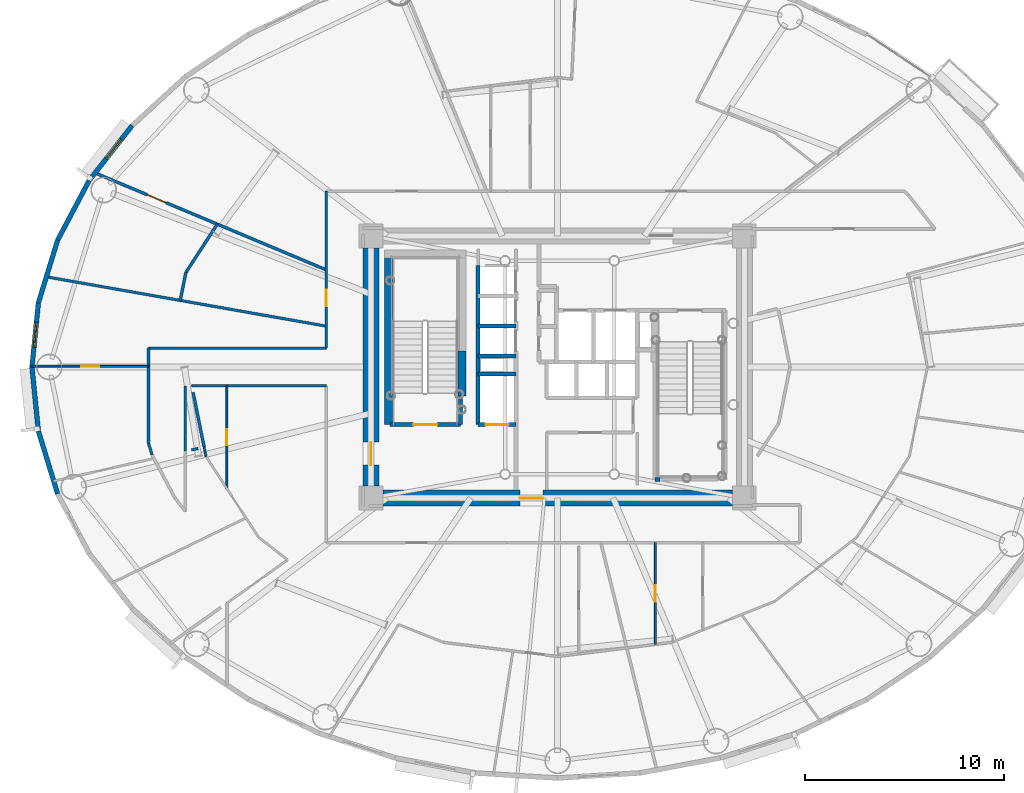
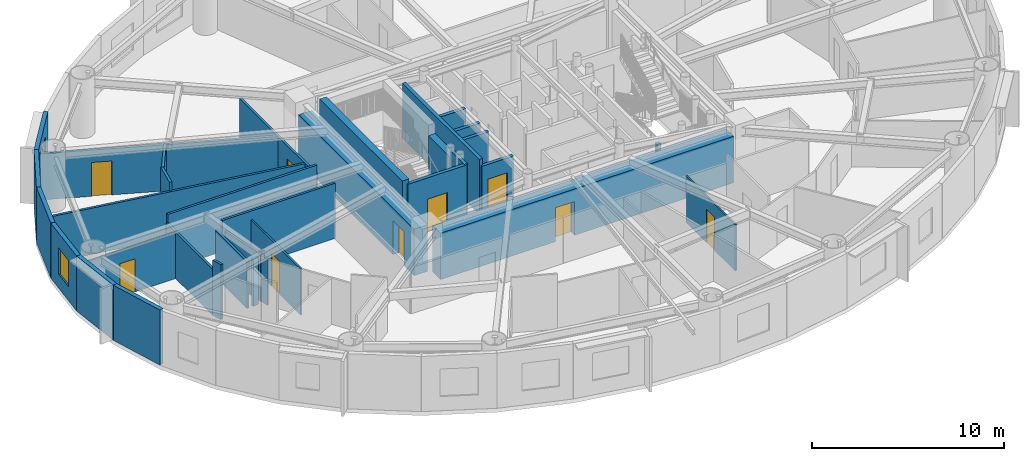
# One storey, part 10 of 21: 34 walls, 9 doors, 2 windows, 11 openings.
"""IFC4 building model written with IfcOpenShell, lengths in metres."""

import ifcopenshell
import ifcopenshell.guid

model = None  # the IFC model being written
_history = None  # IfcOwnerHistory: only IFC2X3 demands one
_inside = {}  # id of a spatial element -> (the spatial element, [elements in it])
_under = {}  # id of a project, library or spatial element -> (it, [spatial elements below it])
_declared = {}  # id of a project -> (the project, [libraries it declares])
_typed = {}  # id of a type object -> (the type object, [elements of that type])
_made_of = {}  # id of a material, layer set ... -> (it, [elements and type objects made of it])


def new_model(schema):
    """Start an empty IFC model of exactly this schema.

    Asked for "IFC4X3", IfcOpenShell would pick the latest addendum, in which some entities
    have other attributes; the version numbers below select the first issue.
    IFC2X3 requires an IfcOwnerHistory on every rooted entity: one is made here for all.
    """
    global model, _history
    if schema == "IFC4X3":
        model = ifcopenshell.file(schema_version=(4, 3, 0, 0))
    else:
        model = ifcopenshell.file(schema=schema)
    _inside.clear()
    _under.clear()
    _declared.clear()
    _typed.clear()
    _made_of.clear()
    _history = None
    if model.schema == "IFC2X3":
        org = make("IfcOrganization", Name="unknown")
        user = make(
            "IfcPersonAndOrganization",
            ThePerson=make("IfcPerson", FamilyName="unknown"),
            TheOrganization=org,
        )
        app = make(
            "IfcApplication",
            ApplicationDeveloper=org,
            Version="unknown",
            ApplicationFullName="unknown",
            ApplicationIdentifier="unknown",
        )
        _history = make(
            "IfcOwnerHistory",
            OwningUser=user,
            OwningApplication=app,
            ChangeAction="ADDED",
            CreationDate=0,
        )
    return model


def make(cls, **values):
    """One entity of the class cls with the attributes given. An attribute that is None is left unset."""
    return model.create_entity(
        cls, **{name: value for name, value in values.items() if value is not None}
    )


def rooted(cls, **values):
    """An entity with a GlobalId (a new one), such as an element, a storey or a relation."""
    return make(cls, GlobalId=ifcopenshell.guid.new(), OwnerHistory=_history, **values)


def si_unit(unit_type, name, prefix=None):
    """IfcSIUnit, for example si_unit("LENGTHUNIT", "METRE", prefix="MILLI")."""
    return make("IfcSIUnit", UnitType=unit_type, Prefix=prefix, Name=name)


def assignment(units):
    """IfcUnitAssignment: the units of a project."""
    return None if units is None else make("IfcUnitAssignment", Units=units)


def point(xyz):
    """IfcCartesianPoint."""
    return None if xyz is None else make("IfcCartesianPoint", Coordinates=xyz)


def direction(xyz):
    """IfcDirection."""
    return None if xyz is None else make("IfcDirection", DirectionRatios=xyz)


def frame(location, z_axis=None, x_axis=None):
    """IfcAxis2Placement3D, a coordinate frame: its origin and axes. An axis left out is left unset."""
    return make(
        "IfcAxis2Placement3D",
        Location=point(location),
        Axis=direction(z_axis),
        RefDirection=direction(x_axis),
    )


def frame_2d(location, x_axis=None):
    """IfcAxis2Placement2D, a coordinate frame in the plane: its origin and x axis."""
    return make(
        "IfcAxis2Placement2D", Location=point(location), RefDirection=direction(x_axis)
    )


def origin():
    """The frame at (0, 0, 0) with its axes left unset."""
    return frame((0.0, 0.0, 0.0))


def origin_2d():
    """The frame at (0, 0) in the plane with its x axis left unset."""
    return frame_2d((0.0, 0.0))


def place(relative_to, where):
    """IfcLocalPlacement: puts the frame where relative to a parent placement (None: the world)."""
    return make(
        "IfcLocalPlacement", PlacementRelTo=relative_to, RelativePlacement=where
    )


def context(
    kind, dimensions, precision=None, world=None, true_north=None, identifier=None
):
    """IfcGeometricRepresentationContext, for example the 3D "Model" context."""
    return make(
        "IfcGeometricRepresentationContext",
        ContextIdentifier=identifier,
        ContextType=kind,
        CoordinateSpaceDimension=dimensions,
        Precision=precision,
        WorldCoordinateSystem=world,
        TrueNorth=true_north,
    )


def subcontext(parent, identifier, kind, view, scale=None):
    """IfcGeometricRepresentationSubContext, for example "Body" below "Model"."""
    return make(
        "IfcGeometricRepresentationSubContext",
        ContextIdentifier=identifier,
        ContextType=kind,
        ParentContext=parent,
        TargetScale=scale,
        TargetView=view,
    )


def project(units=None, contexts=None):
    """IfcProject with its units and contexts."""
    return rooted(
        "IfcProject",
        Name="project",
        RepresentationContexts=contexts,
        UnitsInContext=assignment(units),
    )


def spatial(cls, under=None, at=None, **own):
    """A site, building, storey or space (cls), placed at a placement, below another one or the project."""
    s = rooted(cls, ObjectPlacement=at, **own)
    if under is not None:
        _under.setdefault(under.id(), (under, []))[1].append(s)
    return s


def profile(cls, at=None, kind="AREA", **sizes):
    """A parametric profile (cls). Its sizes go by their IFC names, for example OverallWidth=200.0."""
    return make(cls, ProfileType=kind, Position=at, **sizes)


def rectangle(**sizes):
    """IfcRectangleProfileDef."""
    return profile("IfcRectangleProfileDef", **sizes)


def extrude(swept, where, along, depth):
    """IfcExtrudedAreaSolid: the profile swept, set in the frame where, extruded along a direction by depth."""
    return make(
        "IfcExtrudedAreaSolid",
        SweptArea=swept,
        Position=where,
        ExtrudedDirection=direction(along),
        Depth=depth,
    )


def shape(context_of_items, identifier, shape_type, items):
    """IfcShapeRepresentation: the items that make up one representation, for example the "Body"."""
    return make(
        "IfcShapeRepresentation",
        ContextOfItems=context_of_items,
        RepresentationIdentifier=identifier,
        RepresentationType=shape_type,
        Items=items,
    )


def source(mapping_origin, context_of_items, identifier, shape_type, items):
    """IfcRepresentationMap: a shape defined once, which mapped items show again and again."""
    return make(
        "IfcRepresentationMap",
        MappingOrigin=mapping_origin,
        MappedRepresentation=shape(context_of_items, identifier, shape_type, items),
    )


def transform(
    local_origin,
    x_axis=None,
    y_axis=None,
    z_axis=None,
    scale=None,
    scale2=None,
    scale3=None,
    uniform=True,
):
    """IfcCartesianTransformationOperator3D, or its non-uniform kind. x_axis, y_axis, z_axis: its Axis1, 2, 3."""
    if uniform:
        return make(
            "IfcCartesianTransformationOperator3D",
            Axis1=direction(x_axis),
            Axis2=direction(y_axis),
            LocalOrigin=point(local_origin),
            Scale=scale,
            Axis3=direction(z_axis),
        )
    return make(
        "IfcCartesianTransformationOperator3DnonUniform",
        Axis1=direction(x_axis),
        Axis2=direction(y_axis),
        LocalOrigin=point(local_origin),
        Scale=scale,
        Axis3=direction(z_axis),
        Scale2=scale2,
        Scale3=scale3,
    )


def mapped(mapping_source, mapping_target):
    """IfcMappedItem: shows the shape of a source again, moved by a transform."""
    return make(
        "IfcMappedItem", MappingSource=mapping_source, MappingTarget=mapping_target
    )


def material(Name=None, Category=None):
    """IfcMaterial."""
    return make("IfcMaterial", Name=Name, Category=Category)


def layer(
    of_material, thickness, ventilated=None, Name=None, Category=None, Priority=None
):
    """IfcMaterialLayer: one layer of a wall or slab, of a material (None: an air gap)."""
    return make(
        "IfcMaterialLayer",
        Material=of_material,
        LayerThickness=thickness,
        IsVentilated=ventilated,
        Name=Name,
        Category=Category,
        Priority=Priority,
    )


def layer_set(layers, Name=None):
    """IfcMaterialLayerSet."""
    return make("IfcMaterialLayerSet", MaterialLayers=layers, LayerSetName=Name)


def made_of(thing, what):
    """Note that an element or type object is made of a material, layer set ...; save() writes the relation."""
    if what is not None:
        _made_of.setdefault(what.id(), (what, []))[1].append(thing)
    return thing


def type_object(cls, material=None, **own):
    """A type object (cls), such as IfcWallType, which elements share."""
    return made_of(rooted(cls, **own), material)


def element(
    cls,
    number,
    at=None,
    inside=None,
    cuts=None,
    type_object=None,
    material=None,
    context=None,
    identifier="Body",
    shape_type=None,
    held_by="IfcProductDefinitionShape",
    body=None,
    shapes=None,
    **own,
):
    """One element of the class cls, such as IfcWall. Its Tag is "e" and its number.

    at: its placement. inside: the storey or other place that contains it. cuts: it is an
    opening in that element (IfcRelVoidsElement). A single representation is given by context,
    identifier, shape_type and body (its items); several are given by shapes. held_by: the class
    of the entity that holds the representations. save() writes the other relations.
    """
    e = rooted(cls, Tag="e%d" % number, ObjectPlacement=at, **own)
    if body is not None:
        shapes = [shape(context, identifier, shape_type, body)]
    if shapes is not None:
        e.Representation = make(held_by, Representations=shapes)
    if inside is not None:
        _inside.setdefault(inside.id(), (inside, []))[1].append(e)
    if cuts is not None:
        rooted(
            "IfcRelVoidsElement", RelatingBuildingElement=cuts, RelatedOpeningElement=e
        )
    if type_object is not None:
        _typed.setdefault(type_object.id(), (type_object, []))[1].append(e)
    return made_of(e, material)


def fill(opening, filler):
    """IfcRelFillsElement: the door or window that sits in an opening."""
    return rooted(
        "IfcRelFillsElement",
        RelatingOpeningElement=opening,
        RelatedBuildingElement=filler,
    )


def aggregate(whole, parts):
    """IfcRelAggregates: a whole, such as a stair, and the parts it consists of."""
    return rooted("IfcRelAggregates", RelatingObject=whole, RelatedObjects=parts)


def save(model, path):
    """Write the relations noted so far, then the file.

    IfcRelAggregates (storeys below a building ...), IfcRelContainedInSpatialStructure (elements
    in a storey), IfcRelDefinesByType, IfcRelAssociatesMaterial and IfcRelDeclares: one each for
    every whole, place, type object, material and project.
    """
    for whole, parts in _under.values():
        aggregate(whole, parts)
    for where, things in _inside.values():
        rooted(
            "IfcRelContainedInSpatialStructure",
            RelatedElements=things,
            RelatingStructure=where,
        )
    for kind, things in _typed.values():
        rooted("IfcRelDefinesByType", RelatedObjects=things, RelatingType=kind)
    for what, things in _made_of.values():
        rooted("IfcRelAssociatesMaterial", RelatedObjects=things, RelatingMaterial=what)
    for by, libraries in _declared.values():
        rooted("IfcRelDeclares", RelatingContext=by, RelatedDefinitions=libraries)
    model.write(path)


model = new_model("IFC4")

# Units and contexts
model_context = context("Model", 3, precision=1e-05, world=origin(), true_north=direction((0.0, 1.0)))
body_context = subcontext(model_context, "Body", "Model", "MODEL_VIEW")
ifc_project = project(units=[si_unit("LENGTHUNIT", "METRE"), si_unit("AREAUNIT", "SQUARE_METRE"), si_unit("VOLUMEUNIT", "CUBIC_METRE"), si_unit("PLANEANGLEUNIT", "RADIAN"), si_unit("MASSUNIT", "GRAM", prefix="KILO")], contexts=[model_context])

# Site, building, storey
site_placement = place(None, origin())
site = spatial("IfcSite", under=ifc_project, at=site_placement, CompositionType="ELEMENT")
building_placement = place(site_placement, origin())
building = spatial("IfcBuilding", under=site, at=building_placement, Name="Linh Dai School and Residence Tower", CompositionType="ELEMENT")
storey_placement = place(building_placement, frame((0.0, 0.0, 189.89990234375)))
storey = spatial("IfcBuildingStorey", under=building, at=storey_placement, Name="L46", CompositionType="ELEMENT", Elevation=189.89990234375)

# Wall, opening, window
ifc_material_1 = material(Name="Precast Concrete B45 (C35/45)", Category="concrete")
ifc_layer_1 = layer(ifc_material_1, 0.239990234375)
ifc_layer_set_1 = layer_set([ifc_layer_1], Name="Precast Concrete B45 (C35/45)")
wall_type_1 = type_object("IfcWallType", Name="EW-TC-240", PredefinedType="SOLIDWALL", material=ifc_layer_set_1)
wall_1_placement = place(storey_placement, frame((12.404052734375, 36.388427734375, 0.0), z_axis=(0.0, 0.0, 1.0), x_axis=(0.616287674549, 0.787521112224, 0.0)))
wall_1 = element("IfcWall", 1, at=wall_1_placement, inside=storey, type_object=wall_type_1, Name="L46 Terracotta Exterior Wall 17", PredefinedType="SOLIDWALL", context=body_context, shape_type="SweptSolid", body=[
    extrude(rectangle(XDim=3.517333984375, YDim=0.239990234375, at=frame_2d((1.7587890625, 0.0))), origin(), (0.0, 0.0, 1.0), 3.5),
])
opening_1_placement = place(wall_1_placement, frame((1.3896484375, 0.0, 0.89990234375)))
opening_1 = element("IfcOpeningElement", 2, at=opening_1_placement, cuts=wall_1, Name="Opening W3", PredefinedType="OPENING", context=body_context, shape_type="SweptSolid", body=[
    extrude(rectangle(XDim=1.25, YDim=1.64990234375, at=origin_2d()), frame((0.625, 0.1298828125, 0.824951171875), z_axis=(0.0, -1.0, 0.0), x_axis=(1.0, 0.0, 0.0)), (0.0, 0.0, 1.0), 0.260009765625),
])
ifc_material_2 = material(Name="Double Low-E Insulated Glazing", Category="glass")
window_type = type_object("IfcWindowType", Name="WN-RES-1250x1650", PartitioningType="SINGLE_PANEL", PredefinedType="WINDOW", material=ifc_material_2)
shared_shape_1 = source(origin(), body_context, "Body", "SweptSolid", [
    extrude(rectangle(XDim=1.25, YDim=1.64990234375, at=origin_2d()), frame((0.625, 0.030029296875, 0.824951171875), z_axis=(0.0, -1.0, 0.0), x_axis=(1.0, 0.0, 0.0)), (0.0, 0.0, 1.0), 0.06005859375),
])
window_1_placement = place(opening_1_placement, origin())
window_1 = element("IfcWindow", 3, at=window_1_placement, inside=storey, type_object=window_type, Name="L46 Exterior Window 17.1", OverallHeight=1.64990234375, OverallWidth=1.25, PartitioningType="SINGLE_PANEL", PredefinedType="WINDOW", context=body_context, shape_type="MappedRepresentation", body=[
    mapped(shared_shape_1, transform((0.0, 0.0, 0.0), x_axis=(1.0, 0.0, 0.0), y_axis=(0.0, 1.0, 0.0), z_axis=(0.0, 0.0, 1.0), scale=1.0)),
])
fill(opening_1, window_1)

# Walls
wall_2_placement = place(storey_placement, frame((10.8173828125, 33.388916015625, 0.0), z_axis=(0.0, 0.0, 1.0), x_axis=(0.467586874938, 0.88394712194, 0.0)))
element("IfcWall", 4, at=wall_2_placement, inside=storey, type_object=wall_type_1, Name="L46 Terracotta Exterior Wall 18", PredefinedType="SOLIDWALL", context=body_context, shape_type="SweptSolid", body=[
    extrude(rectangle(XDim=3.393310546875, YDim=0.239990234375, at=frame_2d((1.69677734375, 0.0))), origin(), (0.0, 0.0, 1.0), 3.5),
])
wall_3_placement = place(storey_placement, frame((9.85009765625, 30.233642578125, 0.0), z_axis=(0.0, 0.0, 1.0), x_axis=(0.293097995113, 0.956082405058, 0.0)))
element("IfcWall", 5, at=wall_3_placement, inside=storey, type_object=wall_type_1, Name="L46 Terracotta Exterior Wall 19", PredefinedType="SOLIDWALL", context=body_context, shape_type="SweptSolid", body=[
    extrude(rectangle(XDim=3.30029296875, YDim=0.239990234375, at=frame_2d((1.650146484375, 0.0))), origin(), (0.0, 0.0, 1.0), 3.5),
])

# Wall, opening, window
wall_4_placement = place(storey_placement, frame((9.52490234375, 27.0, 0.0), z_axis=(0.0, 0.0, 1.0), x_axis=(0.100061534614, 0.994981250723, 0.0)))
wall_4 = element("IfcWall", 6, at=wall_4_placement, inside=storey, type_object=wall_type_1, Name="L46 Terracotta Exterior Wall 20", PredefinedType="SOLIDWALL", context=body_context, shape_type="SweptSolid", body=[
    extrude(rectangle(XDim=3.25, YDim=0.239990234375, at=frame_2d((1.625, 0.0))), origin(), (0.0, 0.0, 1.0), 3.5),
])
opening_2_placement = place(wall_4_placement, frame((1.0, 0.0, 0.89990234375)))
opening_2 = element("IfcOpeningElement", 7, at=opening_2_placement, cuts=wall_4, Name="Opening W3", PredefinedType="OPENING", context=body_context, shape_type="SweptSolid", body=[
    extrude(rectangle(XDim=1.25, YDim=1.64990234375, at=origin_2d()), frame((0.625, 0.1298828125, 0.824951171875), z_axis=(0.0, -1.0, 0.0), x_axis=(1.0, 0.0, 0.0)), (0.0, 0.0, 1.0), 0.260009765625),
])
window_2_placement = place(opening_2_placement, origin())
window_2 = element("IfcWindow", 8, at=window_2_placement, inside=storey, type_object=window_type, Name="L46 Dwelling Window U4601-BD1", OverallHeight=1.64990234375, OverallWidth=1.25, PartitioningType="SINGLE_PANEL", PredefinedType="WINDOW", context=body_context, shape_type="MappedRepresentation", body=[
    mapped(shared_shape_1, transform((0.0, 0.0, 0.0), x_axis=(1.0, 0.0, 0.0), y_axis=(0.0, 1.0, 0.0), z_axis=(0.0, 0.0, 1.0), scale=1.0)),
])
fill(opening_2, window_2)

# Walls
wall_5_placement = place(storey_placement, frame((9.85009765625, 23.766357421875, 0.0), z_axis=(0.0, 0.0, 1.0), x_axis=(-0.100061534614, 0.994981250723, 0.0)))
element("IfcWall", 9, at=wall_5_placement, inside=storey, type_object=wall_type_1, Name="L46 Terracotta Exterior Wall 21", PredefinedType="SOLIDWALL", context=body_context, shape_type="SweptSolid", body=[
    extrude(rectangle(XDim=3.25, YDim=0.239990234375, at=frame_2d((1.625, 0.0))), origin(), (0.0, 0.0, 1.0), 3.5),
])
wall_6_placement = place(storey_placement, frame((10.8173828125, 20.611083984375, 0.0), z_axis=(0.0, 0.0, 1.0), x_axis=(-0.293097995113, 0.956082405058, 0.0)))
element("IfcWall", 10, at=wall_6_placement, inside=storey, type_object=wall_type_1, Name="L46 Terracotta Exterior Wall 22", PredefinedType="SOLIDWALL", context=body_context, shape_type="SweptSolid", body=[
    extrude(rectangle(XDim=3.30029296875, YDim=0.239990234375, at=frame_2d((1.650146484375, 0.0))), origin(), (0.0, 0.0, 1.0), 3.5),
])
ifc_material_3 = material(Name="Autoclaved Aerated Concrete Blockwork", Category="masonry")
ifc_layer_2 = layer(ifc_material_3, 0.135009765625)
ifc_layer_set_2 = layer_set([ifc_layer_2], Name="Autoclaved Aerated Concrete Blockwork")
wall_type_2 = type_object("IfcWallType", Name="IW-CORR-135-EI90", PredefinedType="PARTITIONING", material=ifc_layer_set_2)
wall_7_placement = place(storey_placement, frame((10.24560546875, 31.541259765625, 0.0), z_axis=(0.0, 0.0, 1.0), x_axis=(0.984807060168, -0.173652106936, 0.0)))
element("IfcWall", 11, at=wall_7_placement, inside=storey, type_object=wall_type_2, Name="L46 Interior Partition Wall 002", PredefinedType="PARTITIONING", context=body_context, shape_type="SweptSolid", body=[
    extrude(rectangle(XDim=14.322021484375, YDim=0.135009765625, at=frame_2d((7.1611328125, 0.0))), origin(), (0.0, 0.0, 1.0), 2.93505859375),
])
wall_8_placement = place(storey_placement, frame((15.39990234375, 23.14599609375, 0.0), z_axis=(0.0, 0.0, 1.0), x_axis=(0.0, 1.0, 0.0)))
element("IfcWall", 12, at=wall_8_placement, inside=storey, type_object=wall_type_2, Name="L46 Interior Partition Wall 006", PredefinedType="PARTITIONING", context=body_context, shape_type="SweptSolid", body=[
    extrude(rectangle(XDim=4.803955078125, YDim=0.135009765625, at=frame_2d((2.40185546875, 0.0))), origin(), (0.0, 0.0, 1.0), 2.93505859375),
])
wall_9_placement = place(storey_placement, frame((15.39990234375, 23.14599609375, 0.0), z_axis=(0.0, 0.0, 1.0), x_axis=(0.293335154151, -0.956009669061, 0.0)))
element("IfcWall", 13, at=wall_9_placement, inside=storey, type_object=wall_type_2, Name="L46 Interior Partition Wall 007", PredefinedType="PARTITIONING", context=body_context, shape_type="SweptSolid", body=[
    extrude(rectangle(XDim=0.59423828125, YDim=0.135009765625, at=frame_2d((0.297119140625, 0.0))), origin(), (0.0, 0.0, 1.0), 3.5),
])
wall_10_placement = place(storey_placement, frame((15.39990234375, 27.949951171875, 0.0), z_axis=(0.0, 0.0, 1.0), x_axis=(1.0, 0.0, 0.0)))
element("IfcWall", 14, at=wall_10_placement, inside=storey, type_object=wall_type_2, Name="L46 Interior Partition Wall 008", PredefinedType="PARTITIONING", context=body_context, shape_type="SweptSolid", body=[
    extrude(rectangle(XDim=8.9501953125, YDim=0.135009765625, at=frame_2d((4.47509765625, 0.0))), origin(), (0.0, 0.0, 1.0), 3.5),
])
wall_11_placement = place(storey_placement, frame((17.572265625, 26.050048828125, 0.0), z_axis=(0.0, 0.0, 1.0), x_axis=(1.0, 0.0, 0.0)))
element("IfcWall", 15, at=wall_11_placement, inside=storey, type_object=wall_type_2, Name="L46 Interior Partition Wall 014", PredefinedType="PARTITIONING", context=body_context, shape_type="SweptSolid", body=[
    extrude(rectangle(XDim=6.77783203125, YDim=0.135009765625, at=frame_2d((3.388916015625, 0.0))), origin(), (0.0, 0.0, 1.0), 3.5),
])

# Wall, opening, door
wall_12_placement = place(storey_placement, frame((24.35009765625, 27.949951171875, 0.0), z_axis=(0.0, 0.0, 1.0), x_axis=(0.0, 1.0, 0.0)))
wall_12 = element("IfcWall", 16, at=wall_12_placement, inside=storey, type_object=wall_type_2, Name="L46 Interior Partition Wall 022", PredefinedType="PARTITIONING", context=body_context, shape_type="SweptSolid", body=[
    extrude(rectangle(XDim=7.900146484375, YDim=0.135009765625, at=frame_2d((3.9501953125, 0.0))), origin(), (0.0, 0.0, 1.0), 2.93505859375),
])
opening_3_placement = place(wall_12_placement, frame((2.11083984375, 0.0, 0.0)))
opening_3 = element("IfcOpeningElement", 17, at=opening_3_placement, cuts=wall_12, Name="Opening D06", PredefinedType="OPENING", context=body_context, shape_type="SweptSolid", body=[
    extrude(rectangle(XDim=0.820068359375, YDim=2.10009765625, at=origin_2d()), frame((0.41015625, 0.07763671875, 1.050048828125), z_axis=(0.0, -1.0, 0.0), x_axis=(1.0, 0.0, 0.0)), (0.0, 0.0, 1.0), 0.155029296875),
])
ifc_material_4 = material(Name="Moisture-Resistant Timber Bathroom Door", Category="wood")
door_type_1 = type_object("IfcDoorType", Name="DR-WET-820x2100", OperationType="NOTDEFINED", PredefinedType="DOOR", material=ifc_material_4)
shared_shape_2 = source(origin(), body_context, "Body", "SweptSolid", [
    extrude(rectangle(XDim=0.820068359375, YDim=2.10009765625, at=origin_2d()), frame((0.41015625, 0.02490234375, 1.050048828125), z_axis=(0.0, -1.0, 0.0), x_axis=(1.0, 0.0, 0.0)), (0.0, 0.0, 1.0), 0.050048828125),
])
door_1_placement = place(opening_3_placement, origin())
door_1 = element("IfcDoor", 18, at=door_1_placement, inside=storey, type_object=door_type_1, Name="L46 Amenity Accessible WC Door", OperationType="SINGLE_SWING_LEFT", OverallHeight=2.10009765625, OverallWidth=0.820068359375, PredefinedType="DOOR", context=body_context, shape_type="MappedRepresentation", body=[
    mapped(shared_shape_2, transform((0.0, 0.0, 0.0), x_axis=(1.0, 0.0, 0.0), y_axis=(0.0, 1.0, 0.0), z_axis=(0.0, 0.0, 1.0), scale=1.0)),
])
fill(opening_3, door_1)

# Walls
wall_13_placement = place(storey_placement, frame((17.25, 26.050048828125, 0.0), z_axis=(0.0, 0.0, 1.0), x_axis=(0.0, -1.0, 0.0)))
element("IfcWall", 19, at=wall_13_placement, inside=storey, type_object=wall_type_2, Name="L46 Interior Partition Wall 097", PredefinedType="PARTITIONING", context=body_context, shape_type="SweptSolid", body=[
    extrude(rectangle(XDim=3.28759765625, YDim=0.135009765625, at=frame_2d((1.643798828125, 0.0))), origin(), (0.0, 0.0, 1.0), 2.985107421875),
])
wall_14_placement = place(storey_placement, frame((17.5576171875, 22.822265625, 0.0), z_axis=(0.0, 0.0, 1.0), x_axis=(0.975362278784, 0.220609213601, 0.0)))
element("IfcWall", 20, at=wall_14_placement, inside=storey, type_object=wall_type_2, Name="L46 Interior Partition Wall 107", PredefinedType="PARTITIONING", context=body_context, shape_type="SweptSolid", body=[
    extrude(rectangle(XDim=0.34423828125, YDim=0.135009765625, at=frame_2d((0.172119140625, 0.0))), origin(), (0.0, 0.0, 1.0), 2.985107421875),
])

# Wall, opening, door
ifc_layer_3 = layer(ifc_material_3, 0.14990234375)
ifc_layer_set_3 = layer_set([ifc_layer_3], Name="Autoclaved Aerated Concrete Blockwork")
wall_type_3 = type_object("IfcWallType", Name="IW-SCH-150-EI60", PredefinedType="PARTITIONING", material=ifc_layer_set_3)
wall_15_placement = place(storey_placement, frame((12.7001953125, 36.775146484375, 0.0), z_axis=(0.0, 0.0, 1.0), x_axis=(0.922134788074, -0.386868753745, 0.0)))
wall_15 = element("IfcWall", 21, at=wall_15_placement, inside=storey, type_object=wall_type_3, Name="L46 Interior Partition Wall 004", PredefinedType="PARTITIONING", context=body_context, shape_type="SweptSolid", body=[
    extrude(rectangle(XDim=12.63330078125, YDim=0.14990234375, at=frame_2d((6.316650390625, 0.0))), origin(), (0.0, 0.0, 1.0), 2.93505859375),
])
opening_4_placement = place(wall_15_placement, frame((2.83447265625, 0.0, 0.0)))
opening_4 = element("IfcOpeningElement", 22, at=opening_4_placement, cuts=wall_15, Name="Opening D04", PredefinedType="OPENING", context=body_context, shape_type="SweptSolid", body=[
    extrude(rectangle(XDim=1.050048828125, YDim=2.14990234375, at=origin_2d()), frame((0.52490234375, 0.0849609375, 1.074951171875), z_axis=(0.0, -1.0, 0.0), x_axis=(1.0, 0.0, 0.0)), (0.0, 0.0, 1.0), 0.169921875),
])
ifc_material_5 = material(Name="Acoustic Vision-Panel Timber Classroom Door", Category="wood")
door_type_2 = type_object("IfcDoorType", Name="DR-SCH-1050x2150-FD60S", OperationType="NOTDEFINED", PredefinedType="DOOR", material=ifc_material_5)
shared_shape_3 = source(origin(), body_context, "Body", "SweptSolid", [
    extrude(rectangle(XDim=1.050048828125, YDim=2.14990234375, at=origin_2d()), frame((0.52490234375, 0.02490234375, 1.074951171875), z_axis=(0.0, -1.0, 0.0), x_axis=(1.0, 0.0, 0.0)), (0.0, 0.0, 1.0), 0.050048828125),
])
door_2_placement = place(opening_4_placement, origin())
door_2 = element("IfcDoor", 23, at=door_2_placement, inside=storey, type_object=door_type_2, Name="L46 Amenity Tea Salon Door", OperationType="SINGLE_SWING_RIGHT", OverallHeight=2.14990234375, OverallWidth=1.050048828125, PredefinedType="DOOR", context=body_context, shape_type="MappedRepresentation", body=[
    mapped(shared_shape_3, transform((0.0, 0.0, 0.0), x_axis=(1.0, 0.0, 0.0), y_axis=(0.0, 1.0, 0.0), z_axis=(0.0, 0.0, 1.0), scale=1.0)),
])
fill(opening_4, door_2)

# Walls
wall_16_placement = place(storey_placement, frame((16.993896484375, 30.351318359375, 0.0), z_axis=(0.0, 0.0, 1.0), x_axis=(0.198136589313, 0.98017441916, 0.0)))
element("IfcWall", 24, at=wall_16_placement, inside=storey, type_object=wall_type_3, Name="L46 Interior Partition Wall 011", PredefinedType="PARTITIONING", context=body_context, shape_type="SweptSolid", body=[
    extrude(rectangle(XDim=1.4404296875, YDim=0.14990234375, at=frame_2d((0.72021484375, 0.0))), origin(), (0.0, 0.0, 1.0), 3.5),
])
wall_17_placement = place(storey_placement, frame((17.279296875, 31.76318359375, 0.0), z_axis=(0.0, 0.0, 1.0), x_axis=(0.545388220317, 0.8381835653, 0.0)))
element("IfcWall", 25, at=wall_17_placement, inside=storey, type_object=wall_type_3, Name="L46 Interior Partition Wall 013", PredefinedType="PARTITIONING", context=body_context, shape_type="SweptSolid", body=[
    extrude(rectangle(XDim=2.896728515625, YDim=0.14990234375, at=frame_2d((1.4482421875, 0.0))), origin(), (0.0, 0.0, 1.0), 2.93505859375),
])
wall_18_placement = place(storey_placement, frame((18.19384765625, 22.9765625, 0.0), z_axis=(0.0, 0.0, 1.0), x_axis=(-0.19826083806, 0.980149294797, 0.0)))
element("IfcWall", 26, at=wall_18_placement, inside=storey, type_object=wall_type_3, Name="L46 Interior Partition Wall 109", PredefinedType="PARTITIONING", context=body_context, shape_type="SweptSolid", body=[
    extrude(rectangle(XDim=2.801513671875, YDim=0.14990234375, at=frame_2d((1.40087890625, 0.0))), origin(), (0.0, 0.0, 1.0), 2.985107421875),
])

# Wall, opening, door
ifc_material_6 = material(Name="Concrete B45 (C35/45)", Category="concrete")
ifc_layer_4 = layer(ifc_material_6, 0.199951171875)
ifc_layer_set_4 = layer_set([ifc_layer_4], Name="Concrete B45 (C35/45)")
wall_type_4 = type_object("IfcWallType", Name="IW-SHAFT-200-EI120", PredefinedType="PARTITIONING", material=ifc_layer_set_4)
wall_19_placement = place(storey_placement, frame((27.56005859375, 24.10009765625, 0.0), z_axis=(0.0, 0.0, 1.0), x_axis=(1.0, 0.0, 0.0)))
wall_19 = element("IfcWall", 27, at=wall_19_placement, inside=storey, type_object=wall_type_4, Name="L46 Interior Partition Wall 025", PredefinedType="PARTITIONING", context=body_context, shape_type="SweptSolid", body=[
    extrude(rectangle(XDim=3.5400390625, YDim=0.199951171875, at=frame_2d((1.77001953125, 0.0))), origin(), (0.0, 0.0, 1.0), 3.5),
])
opening_5_placement = place(wall_19_placement, frame((1.169921875, 0.0, 0.0)))
opening_5 = element("IfcOpeningElement", 28, at=opening_5_placement, cuts=wall_19, Name="Opening D01", PredefinedType="OPENING", context=body_context, shape_type="SweptSolid", body=[
    extrude(rectangle(XDim=1.199951171875, YDim=2.14990234375, at=origin_2d()), frame((0.60009765625, 0.10986328125, 1.074951171875), z_axis=(0.0, -1.0, 0.0), x_axis=(1.0, 0.0, 0.0)), (0.0, 0.0, 1.0), 0.219970703125),
])
ifc_material_7 = material(Name="Fire-Rated Steel Door Leaf", Category="steel")
door_type_3 = type_object("IfcDoorType", Name="DR-STAIR-1200x2150-FD90S", OperationType="NOTDEFINED", PredefinedType="DOOR", material=ifc_material_7)
shared_shape_4 = source(origin(), body_context, "Body", "SweptSolid", [
    extrude(rectangle(XDim=1.199951171875, YDim=2.14990234375, at=origin_2d()), frame((0.60009765625, 0.02490234375, 1.074951171875), z_axis=(0.0, -1.0, 0.0), x_axis=(1.0, 0.0, 0.0)), (0.0, 0.0, 1.0), 0.050048828125),
])
door_3_placement = place(opening_5_placement, origin())
door_3 = element("IfcDoor", 29, at=door_3_placement, inside=storey, type_object=door_type_3, Name="L46 Core Smokeproof Exit Stair ST1 Door", OperationType="SINGLE_SWING_LEFT", OverallHeight=2.14990234375, OverallWidth=1.199951171875, PredefinedType="DOOR", context=body_context, shape_type="MappedRepresentation", body=[
    mapped(shared_shape_4, transform((0.0, 0.0, 0.0), x_axis=(1.0, 0.0, 0.0), y_axis=(0.0, 1.0, 0.0), z_axis=(0.0, 0.0, 1.0), scale=1.0)),
])
fill(opening_5, door_3)

# Walls
wall_20_placement = place(storey_placement, frame((31.10009765625, 24.10009765625, 0.0), z_axis=(0.0, 0.0, 1.0), x_axis=(0.0, 1.0, 0.0)))
element("IfcWall", 30, at=wall_20_placement, inside=storey, type_object=wall_type_4, Name="L46 Interior Partition Wall 030", PredefinedType="PARTITIONING", context=body_context, shape_type="SweptSolid", body=[
    extrude(rectangle(XDim=1.43994140625, YDim=0.199951171875, at=frame_2d((0.719970703125, 0.0))), origin(), (0.0, 0.0, 1.0), 3.5),
])
wall_21_placement = place(storey_placement, frame((32.0, 24.10009765625, 0.0), z_axis=(0.0, 0.0, 1.0), x_axis=(0.0, 1.0, 0.0)))
element("IfcWall", 31, at=wall_21_placement, inside=storey, type_object=wall_type_4, Name="L46 Interior Partition Wall 031", PredefinedType="PARTITIONING", context=body_context, shape_type="SweptSolid", body=[
    extrude(rectangle(XDim=8.0, YDim=0.199951171875, at=frame_2d((4.0, 0.0))), origin(), (0.0, 0.0, 1.0), 3.5),
])

# Wall, opening, door
wall_22_placement = place(storey_placement, frame((32.0, 24.10009765625, 0.0), z_axis=(0.0, 0.0, 1.0), x_axis=(1.0, 0.0, 0.0)))
wall_22 = element("IfcWall", 32, at=wall_22_placement, inside=storey, type_object=wall_type_4, Name="L46 Interior Partition Wall 032", PredefinedType="PARTITIONING", context=body_context, shape_type="SweptSolid", body=[
    extrude(rectangle(XDim=1.89990234375, YDim=0.199951171875, at=frame_2d((0.949951171875, 0.0))), origin(), (0.0, 0.0, 1.0), 3.085205078125),
])
opening_6_placement = place(wall_22_placement, frame((0.375, 0.0, 0.0)))
opening_6 = element("IfcOpeningElement", 33, at=opening_6_placement, cuts=wall_22, Name="Opening LD-FF2", PredefinedType="OPENING", context=body_context, shape_type="SweptSolid", body=[
    extrude(rectangle(XDim=1.14990234375, YDim=2.14990234375, at=origin_2d()), frame((0.574951171875, 0.10986328125, 1.074951171875), z_axis=(0.0, -1.0, 0.0), x_axis=(1.0, 0.0, 0.0)), (0.0, 0.0, 1.0), 0.219970703125),
])
ifc_material_8 = material(Name="Fire-Rated Stainless Steel Firefighting Lift Door", Category="steel")
door_type_4 = type_object("IfcDoorType", Name="DR-LD-FF-1150x2150-FD120", OperationType="DOUBLE_DOOR_SLIDING", PredefinedType="USERDEFINED", material=ifc_material_8)
shared_shape_5 = source(origin(), body_context, "Body", "SweptSolid", [
    extrude(rectangle(XDim=1.14990234375, YDim=2.14990234375, at=origin_2d()), frame((0.574951171875, 0.02490234375, 1.074951171875), z_axis=(0.0, -1.0, 0.0), x_axis=(1.0, 0.0, 0.0)), (0.0, 0.0, 1.0), 0.050048828125),
])
door_4_placement = place(opening_6_placement, origin())
door_4 = element("IfcDoor", 34, at=door_4_placement, inside=storey, type_object=door_type_4, Name="L46 Lift FF2 Sliding Landing Door", ObjectType="LANDING DOOR", OperationType="DOUBLE_DOOR_SLIDING", OverallHeight=2.14990234375, OverallWidth=1.14990234375, PredefinedType="USERDEFINED", context=body_context, shape_type="MappedRepresentation", body=[
    mapped(shared_shape_5, transform((0.0, 0.0, 0.0), x_axis=(1.0, 0.0, 0.0), y_axis=(0.0, 1.0, 0.0), z_axis=(0.0, 0.0, 1.0), scale=1.0)),
])
fill(opening_6, door_4)

# Walls
for number, where, z_axis, x_axis, name in (
    (35, (32.0, 26.64990234375, 0.0), (0.0, 0.0, 1.0), (1.0, 0.0, 0.0), "L46 Interior Partition Wall 033"),
    (36, (32.0, 27.550048828125, 0.0), (0.0, 0.0, 1.0), (1.0, 0.0, 0.0), "L46 Interior Partition Wall 034"),
    (37, (32.0, 29.06005859375, 0.0), (0.0, 0.0, 1.0), (1.0, 0.0, 0.0), "L46 Interior Partition Wall 035"),
):
    element("IfcWall", number, at=place(storey_placement, frame(where, z_axis=z_axis, x_axis=x_axis)), inside=storey, type_object=wall_type_4, Name=name, PredefinedType="PARTITIONING", context=body_context, shape_type="SweptSolid", body=[
        extrude(rectangle(XDim=1.89990234375, YDim=0.199951171875, at=frame_2d((0.949951171875, 0.0))), origin(), (0.0, 0.0, 1.0), 3.085205078125),
    ])
wall_23_placement = place(storey_placement, frame((40.89990234375, 21.330078125, 0.0), z_axis=(0.0, 0.0, 1.0), x_axis=(1.0, 0.0, 0.0)))
element("IfcWall", 38, at=wall_23_placement, inside=storey, type_object=wall_type_4, Name="L46 Interior Partition Wall 067", PredefinedType="PARTITIONING", context=body_context, shape_type="SweptSolid", body=[
    extrude(rectangle(XDim=0.25, YDim=0.199951171875, at=frame_2d((0.125, 0.0))), origin(), (0.0, 0.0, 1.0), 3.03515625),
])

# Wall, opening, door
ifc_material_9 = material(Name="Gypsum Plasterboard Acoustic Stud Partition", Category="masonry")
ifc_layer_5 = layer(ifc_material_9, 0.10009765625)
ifc_layer_set_5 = layer_set([ifc_layer_5], Name="Gypsum Plasterboard Acoustic Stud Partition")
wall_type_5 = type_object("IfcWallType", Name="IW-UNIT-100", PredefinedType="PARTITIONING", material=ifc_layer_set_5)
wall_24_placement = place(storey_placement, frame((9.524169921875, 27.040771484375, 0.0), z_axis=(0.0, 0.0, 1.0), x_axis=(0.999998818241, -0.001537373012, 0.0)))
wall_24 = element("IfcWall", 39, at=wall_24_placement, inside=storey, type_object=wall_type_5, Name="L46 Interior Partition Wall 001", PredefinedType="PARTITIONING", context=body_context, shape_type="SweptSolid", body=[
    extrude(rectangle(XDim=5.875732421875, YDim=0.10009765625, at=frame_2d((2.93798828125, 0.0))), origin(), (0.0, 0.0, 1.0), 2.93505859375),
])
opening_7_placement = place(wall_24_placement, frame((2.488037109375, 0.0, 0.0)))
opening_7 = element("IfcOpeningElement", 40, at=opening_7_placement, cuts=wall_24, Name="Opening D05", PredefinedType="OPENING", context=body_context, shape_type="SweptSolid", body=[
    extrude(rectangle(XDim=0.89990234375, YDim=2.10009765625, at=origin_2d()), frame((0.449951171875, 0.06005859375, 1.050048828125), z_axis=(0.0, -1.0, 0.0), x_axis=(1.0, 0.0, 0.0)), (0.0, 0.0, 1.0), 0.1201171875),
])
ifc_material_10 = material(Name="Engineered Timber Internal Door", Category="wood")
door_type_5 = type_object("IfcDoorType", Name="DR-INT-900x2100", OperationType="NOTDEFINED", PredefinedType="DOOR", material=ifc_material_10)
shared_shape_6 = source(origin(), body_context, "Body", "SweptSolid", [
    extrude(rectangle(XDim=0.89990234375, YDim=2.10009765625, at=origin_2d()), frame((0.449951171875, 0.02490234375, 1.050048828125), z_axis=(0.0, -1.0, 0.0), x_axis=(1.0, 0.0, 0.0)), (0.0, 0.0, 1.0), 0.050048828125),
])
door_5_placement = place(opening_7_placement, origin())
door_5 = element("IfcDoor", 41, at=door_5_placement, inside=storey, type_object=door_type_5, Name="L46 Apartment U4601 Principal Bedroom 1 Door", OperationType="SINGLE_SWING_LEFT", OverallHeight=2.10009765625, OverallWidth=0.89990234375, PredefinedType="DOOR", context=body_context, shape_type="MappedRepresentation", body=[
    mapped(shared_shape_6, transform((0.0, 0.0, 0.0), x_axis=(1.0, 0.0, 0.0), y_axis=(0.0, 1.0, 0.0), z_axis=(0.0, 0.0, 1.0), scale=1.0)),
])
fill(opening_7, door_5)

# Wall
wall_25_placement = place(storey_placement, frame((18.19580078125, 22.966796875, 0.0), z_axis=(0.0, 0.0, 1.0), x_axis=(0.197965751338, -0.980208937573, 0.0)))
element("IfcWall", 42, at=wall_25_placement, inside=storey, type_object=wall_type_5, Name="L46 Interior Partition Wall 015", PredefinedType="PARTITIONING", context=body_context, shape_type="SweptSolid", body=[
    extrude(rectangle(XDim=0.482177734375, YDim=0.10009765625, at=frame_2d((0.2412109375, 0.0))), origin(), (0.0, 0.0, 1.0), 2.93505859375),
])

# Wall, opening, door
wall_26_placement = place(storey_placement, frame((19.34716796875, 20.871337890625, 0.0), z_axis=(0.0, 0.0, 1.0), x_axis=(0.0, 1.0, 0.0)))
wall_26 = element("IfcWall", 43, at=wall_26_placement, inside=storey, type_object=wall_type_5, Name="L46 Interior Partition Wall 018", PredefinedType="PARTITIONING", context=body_context, shape_type="SweptSolid", body=[
    extrude(rectangle(XDim=5.1787109375, YDim=0.10009765625, at=frame_2d((2.58935546875, 0.0))), origin(), (0.0, 0.0, 1.0), 2.93505859375),
])
opening_8_placement = place(wall_26_placement, frame((2.17919921875, 0.0, 0.0)))
opening_8 = element("IfcOpeningElement", 44, at=opening_8_placement, cuts=wall_26, Name="Opening D06", PredefinedType="OPENING", context=body_context, shape_type="SweptSolid", body=[
    extrude(rectangle(XDim=0.820068359375, YDim=2.10009765625, at=origin_2d()), frame((0.41015625, 0.06005859375, 1.050048828125), z_axis=(0.0, -1.0, 0.0), x_axis=(1.0, 0.0, 0.0)), (0.0, 0.0, 1.0), 0.1201171875),
])
door_6_placement = place(opening_8_placement, origin())
door_6 = element("IfcDoor", 45, at=door_6_placement, inside=storey, type_object=door_type_1, Name="L46 Apartment U4601 Bathroom 1 Door", OperationType="SINGLE_SWING_RIGHT", OverallHeight=2.10009765625, OverallWidth=0.820068359375, PredefinedType="DOOR", context=body_context, shape_type="MappedRepresentation", body=[
    mapped(shared_shape_2, transform((0.0, 0.0, 0.0), x_axis=(1.0, 0.0, 0.0), y_axis=(0.0, 1.0, 0.0), z_axis=(0.0, 0.0, 1.0), scale=1.0)),
])
fill(opening_8, door_6)

wall_27_placement = place(storey_placement, frame((40.91552734375, 13.028564453125, 0.0), z_axis=(0.0, 0.0, 1.0), x_axis=(0.0, 1.0, 0.0)))
wall_27 = element("IfcWall", 46, at=wall_27_placement, inside=storey, type_object=wall_type_5, Name="L46 Interior Partition Wall 068", PredefinedType="PARTITIONING", context=body_context, shape_type="SweptSolid", body=[
    extrude(rectangle(XDim=5.121337890625, YDim=0.10009765625, at=frame_2d((2.560546875, 0.0))), origin(), (0.0, 0.0, 1.0), 2.93505859375),
])
opening_9_placement = place(wall_27_placement, frame((2.150634765625, 0.0, 0.0)))
opening_9 = element("IfcOpeningElement", 47, at=opening_9_placement, cuts=wall_27, Name="Opening D06", PredefinedType="OPENING", context=body_context, shape_type="SweptSolid", body=[
    extrude(rectangle(XDim=0.820068359375, YDim=2.10009765625, at=origin_2d()), frame((0.41015625, 0.06005859375, 1.050048828125), z_axis=(0.0, -1.0, 0.0), x_axis=(1.0, 0.0, 0.0)), (0.0, 0.0, 1.0), 0.1201171875),
])
door_7_placement = place(opening_9_placement, origin())
door_7 = element("IfcDoor", 48, at=door_7_placement, inside=storey, type_object=door_type_1, Name="L46 Apartment U4602 Bathroom 1 Door", OperationType="SINGLE_SWING_RIGHT", OverallHeight=2.10009765625, OverallWidth=0.820068359375, PredefinedType="DOOR", context=body_context, shape_type="MappedRepresentation", body=[
    mapped(shared_shape_2, transform((0.0, 0.0, 0.0), x_axis=(1.0, 0.0, 0.0), y_axis=(0.0, 1.0, 0.0), z_axis=(0.0, 0.0, 1.0), scale=1.0)),
])
fill(opening_9, door_7)

# Walls
ifc_layer_6 = layer(ifc_material_6, 0.39990234375)
ifc_layer_set_6 = layer_set([ifc_layer_6], Name="Concrete B45 (C35/45)")
wall_type_6 = type_object("IfcWallType", Name="WL-CORE400", PredefinedType="SHEAR", material=ifc_layer_set_6)
wall_28_placement = place(storey_placement, frame((27.47998046875, 24.10009765625, 0.0), z_axis=(0.0, 0.0, 1.0), x_axis=(0.0, 1.0, 0.0)))
element("IfcWall", 49, at=wall_28_placement, inside=storey, type_object=wall_type_6, Name="L46 Core Stair ST1 Bearing Wall W", PredefinedType="SHEAR", context=body_context, shape_type="SweptSolid", body=[
    extrude(rectangle(XDim=8.599853515625, YDim=0.39990234375, at=frame_2d((4.2998046875, 0.0))), origin(), (0.0, 0.0, 1.0), 3.75),
])
wall_29_placement = place(storey_placement, frame((31.179931640625, 25.550048828125, 0.0), z_axis=(0.0, 0.0, 1.0), x_axis=(0.0, 1.0, 0.0)))
element("IfcWall", 50, at=wall_29_placement, inside=storey, type_object=wall_type_6, Name="L46 Internal Core Shear Wall IW", PredefinedType="SHEAR", context=body_context, shape_type="SweptSolid", body=[
    extrude(rectangle(XDim=2.25, YDim=0.39990234375, at=frame_2d((1.125, 0.0))), origin(), (0.0, 0.0, 1.0), 3.10009765625),
])

# Wall, opening, door
ifc_material_11 = material(Name="Concrete B60 (C50/60)", Category="concrete")
ifc_layer_7 = layer(ifc_material_11, 0.800048828125)
ifc_layer_set_7 = layer_set([ifc_layer_7], Name="Concrete B60 (C50/60)")
wall_type_7 = type_object("IfcWallType", Name="WL-CORE800", PredefinedType="SHEAR", material=ifc_layer_set_7)
wall_30_placement = place(storey_placement, frame((44.800048828125, 20.39990234375, 0.0), z_axis=(0.0, 0.0, 1.0), x_axis=(-1.0, 0.0, 0.0)))
wall_30 = element("IfcWall", 51, at=wall_30_placement, inside=storey, type_object=wall_type_7, Name="L46 Central Core Shear Wall S", PredefinedType="SHEAR", context=body_context, shape_type="SweptSolid", body=[
    extrude(rectangle(XDim=17.60009765625, YDim=0.800048828125, at=frame_2d((8.800048828125, 0.0))), origin(), (0.0, 0.0, 1.0), 2.9501953125),
])
opening_10_placement = place(wall_30_placement, frame((9.550048828125, 0.0, 0.0)))
opening_10 = element("IfcOpeningElement", 52, at=opening_10_placement, cuts=wall_30, Name="Opening D02", PredefinedType="OPENING", context=body_context, shape_type="SweptSolid", body=[
    extrude(rectangle(XDim=1.14990234375, YDim=2.14990234375, at=origin_2d()), frame((0.574951171875, 0.41015625, 1.074951171875), z_axis=(0.0, -1.0, 0.0), x_axis=(1.0, 0.0, 0.0)), (0.0, 0.0, 1.0), 0.820068359375),
])
ifc_material_12 = material(Name="Fire-Rated Glazed Steel Lobby Door", Category="steel")
door_type_6 = type_object("IfcDoorType", Name="DR-LOBBY-1150x2150-FD90S", OperationType="NOTDEFINED", PredefinedType="DOOR", material=ifc_material_12)
shared_shape_7 = source(origin(), body_context, "Body", "SweptSolid", [
    extrude(rectangle(XDim=1.14990234375, YDim=2.14990234375, at=origin_2d()), frame((0.574951171875, 0.02490234375, 1.074951171875), z_axis=(0.0, -1.0, 0.0), x_axis=(1.0, 0.0, 0.0)), (0.0, 0.0, 1.0), 0.050048828125),
])
door_8_placement = place(opening_10_placement, origin())
door_8 = element("IfcDoor", 53, at=door_8_placement, inside=storey, type_object=door_type_6, Name="L46 Passenger Foyer Access Door", OperationType="SINGLE_SWING_RIGHT", OverallHeight=2.14990234375, OverallWidth=1.14990234375, PredefinedType="DOOR", context=body_context, shape_type="MappedRepresentation", body=[
    mapped(shared_shape_7, transform((0.0, 0.0, 0.0), x_axis=(1.0, 0.0, 0.0), y_axis=(0.0, 1.0, 0.0), z_axis=(0.0, 0.0, 1.0), scale=1.0)),
])
fill(opening_10, door_8)

wall_31_placement = place(storey_placement, frame((26.60009765625, 21.0, 0.0), z_axis=(0.0, 0.0, 1.0), x_axis=(0.0, 1.0, 0.0)))
wall_31 = element("IfcWall", 54, at=wall_31_placement, inside=storey, type_object=wall_type_7, Name="L46 Central Core Shear Wall W", PredefinedType="SHEAR", context=body_context, shape_type="SweptSolid", body=[
    extrude(rectangle(XDim=12.0, YDim=0.800048828125, at=frame_2d((6.0, 0.0))), origin(), (0.0, 0.0, 1.0), 2.9501953125),
])
opening_11_placement = place(wall_31_placement, frame((1.061279296875, 0.0, 0.0)))
opening_11 = element("IfcOpeningElement", 55, at=opening_11_placement, cuts=wall_31, Name="Opening D02", PredefinedType="OPENING", context=body_context, shape_type="SweptSolid", body=[
    extrude(rectangle(XDim=1.14990234375, YDim=2.14990234375, at=origin_2d()), frame((0.574951171875, 0.41015625, 1.074951171875), z_axis=(0.0, -1.0, 0.0), x_axis=(1.0, 0.0, 0.0)), (0.0, 0.0, 1.0), 0.820068359375),
])
door_9_placement = place(opening_11_placement, origin())
door_9 = element("IfcDoor", 56, at=door_9_placement, inside=storey, type_object=door_type_6, Name="L46 Firefighting Lobby Door", OperationType="SINGLE_SWING_RIGHT", OverallHeight=2.14990234375, OverallWidth=1.14990234375, PredefinedType="DOOR", context=body_context, shape_type="MappedRepresentation", body=[
    mapped(shared_shape_7, transform((0.0, 0.0, 0.0), x_axis=(1.0, 0.0, 0.0), y_axis=(0.0, 1.0, 0.0), z_axis=(0.0, 0.0, 1.0), scale=1.0)),
])
fill(opening_11, door_9)

save(model, "model.ifc")
